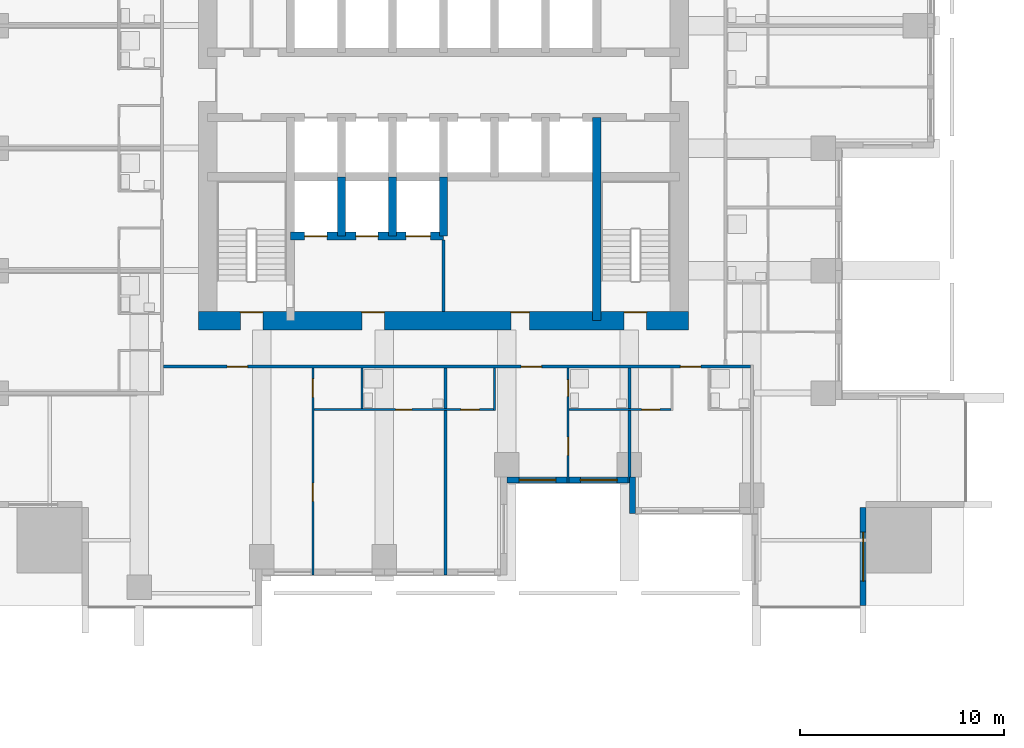
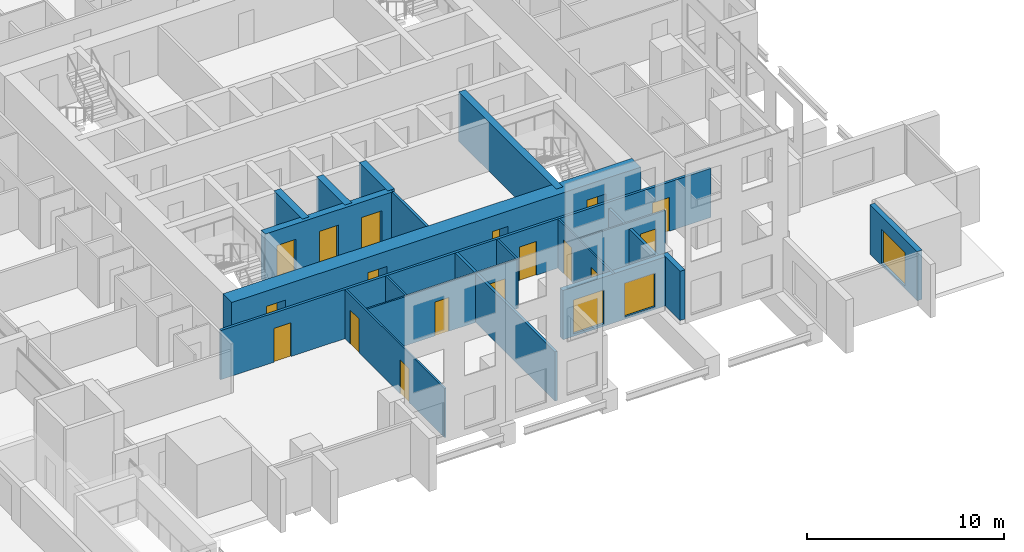
# One storey, part 5 of 15: 19 walls, 17 doors, 3 windows, 20 openings.
"""IFC4 building model written with IfcOpenShell, lengths in metres."""

from ifc_helpers import new_model, si_unit, direction, frame, frame_2d, origin, place, context, subcontext, project, spatial, rectangle, extrude, material, layer, layer_set, type_object, element, fill, save


model = new_model("IFC4")

# Units and contexts
model_context = context("Model", 3, precision=1e-05, world=origin(), true_north=direction((0.0, 1.0)))
body_context = subcontext(model_context, "Body", "Model", "MODEL_VIEW")
ifc_project = project(units=[si_unit("LENGTHUNIT", "METRE"), si_unit("AREAUNIT", "SQUARE_METRE"), si_unit("VOLUMEUNIT", "CUBIC_METRE"), si_unit("PLANEANGLEUNIT", "RADIAN"), si_unit("MASSUNIT", "GRAM", prefix="KILO")], contexts=[model_context])

# Site, building, storey
site_placement = place(None, origin())
site = spatial("IfcSite", under=ifc_project, at=site_placement, CompositionType="ELEMENT")
building_placement = place(site_placement, origin())
building = spatial("IfcBuilding", under=site, at=building_placement, Name="Amberfall Residences", CompositionType="ELEMENT")
storey_placement = place(building_placement, frame((0.0, 0.0, 23.5)))
storey = spatial("IfcBuildingStorey", under=building, at=storey_placement, Name="L05", CompositionType="ELEMENT", Elevation=23.5)

# Wall
ifc_material_1 = material(Name="Pale stone cladding on insulated backing", Category="masonry")
ifc_layer_1 = layer(ifc_material_1, 0.300048828125)
ifc_layer_set_1 = layer_set([ifc_layer_1], Name="Bronze clad wall 300")
wall_type_1 = type_object("IfcWallType", Name="Bronze clad wall 300", PredefinedType="SOLIDWALL", material=ifc_layer_set_1)
wall_1_placement = place(storey_placement, frame((83.75, 26.300048828125, 0.0), z_axis=(0.0, 0.0, 1.0), x_axis=(0.0, -1.0, 0.0)))
element("IfcWall", 1, at=wall_1_placement, inside=storey, type_object=wall_type_1, Name="External wall L05 S", PredefinedType="SOLIDWALL", context=body_context, shape_type="SweptSolid", body=[
    extrude(rectangle(XDim=1.800048828125, YDim=0.300048828125, at=frame_2d((0.89990234375, 0.0))), origin(), (0.0, 0.0, 1.0), 3.050048828125),
])

# Wall, opening, window
wall_2_placement = place(storey_placement, frame((95.050048828125, 20.0, 0.0), z_axis=(0.0, 0.0, 1.0), x_axis=(0.0, 1.0, 0.0)))
wall_2 = element("IfcWall", 2, at=wall_2_placement, inside=storey, type_object=wall_type_1, Name="External wall L05 SE", PredefinedType="SOLIDWALL", context=body_context, shape_type="SweptSolid", body=[
    extrude(rectangle(XDim=4.800048828125, YDim=0.300048828125, at=frame_2d((2.39990234375, 0.0))), origin(), (0.0, 0.0, 1.0), 3.050048828125),
])
opening_1_placement = place(wall_2_placement, frame((1.199951171875, 0.0, 0.14990234375)))
opening_1 = element("IfcOpeningElement", 3, at=opening_1_placement, cuts=wall_2, Name="Opening WN5", PredefinedType="OPENING", context=body_context, shape_type="SweptSolid", body=[
    extrude(rectangle(XDim=2.39990234375, YDim=2.10009765625, at=frame_2d((1.199951171875, 1.050048828125))), frame((0.0, 0.159912109375, 0.0), z_axis=(0.0, -1.0, 0.0), x_axis=(1.0, 0.0, 0.0)), (0.0, 0.0, 1.0), 0.320068359375),
])
ifc_material_2 = material(Name="Bronze aluminium framed glazing", Category="aluminium")
window_type_1 = type_object("IfcWindowType", Name="Glazed opening 2400 x 2100 bronze", PartitioningType="DOUBLE_PANEL_VERTICAL", PredefinedType="WINDOW", material=ifc_material_2)
window_1_placement = place(opening_1_placement, origin())
window_1 = element("IfcWindow", 4, at=window_1_placement, inside=storey, type_object=window_type_1, Name="Window L05 SE", OverallHeight=2.10009765625, OverallWidth=2.39990234375, PartitioningType="DOUBLE_PANEL_VERTICAL", PredefinedType="WINDOW", context=body_context, shape_type="SweptSolid", body=[
    extrude(rectangle(XDim=2.39990234375, YDim=2.10009765625, at=frame_2d((1.199951171875, 1.050048828125))), frame((0.0, 0.030029296875, 0.0), z_axis=(0.0, -1.0, 0.0), x_axis=(1.0, 0.0, 0.0)), (0.0, 0.0, 1.0), 0.06005859375),
])
fill(opening_1, window_1)

# Wall, openings, windows
wall_3_placement = place(storey_placement, frame((77.60009765625, 26.14990234375, 0.0), z_axis=(0.0, 0.0, 1.0), x_axis=(1.0, 0.0, 0.0)))
wall_3 = element("IfcWall", 5, at=wall_3_placement, inside=storey, type_object=wall_type_1, Name="Stone wall L05 S", PredefinedType="SOLIDWALL", context=body_context, shape_type="SweptSolid", body=[
    extrude(rectangle(XDim=6.0, YDim=0.300048828125, at=frame_2d((3.0, 0.0))), origin(), (0.0, 0.0, 1.0), 3.050048828125),
])
opening_2_placement = place(wall_3_placement, frame((0.60009765625, 0.0, 0.14990234375)))
opening_2 = element("IfcOpeningElement", 6, at=opening_2_placement, cuts=wall_3, Name="Opening WN6", PredefinedType="OPENING", context=body_context, shape_type="SweptSolid", body=[
    extrude(rectangle(XDim=1.800048828125, YDim=2.10009765625, at=frame_2d((0.89990234375, 1.050048828125))), frame((0.0, 0.159912109375, 0.0), z_axis=(0.0, -1.0, 0.0), x_axis=(1.0, 0.0, 0.0)), (0.0, 0.0, 1.0), 0.320068359375),
])
opening_3_placement = place(wall_3_placement, frame((3.60009765625, 0.0, 0.14990234375)))
opening_3 = element("IfcOpeningElement", 7, at=opening_3_placement, cuts=wall_3, Name="Opening WN6", PredefinedType="OPENING", context=body_context, shape_type="SweptSolid", body=[
    extrude(rectangle(XDim=1.800048828125, YDim=2.10009765625, at=frame_2d((0.89990234375, 1.050048828125))), frame((0.0, 0.159912109375, 0.0), z_axis=(0.0, -1.0, 0.0), x_axis=(1.0, 0.0, 0.0)), (0.0, 0.0, 1.0), 0.320068359375),
])
window_type_2 = type_object("IfcWindowType", Name="Glazed opening 1800 x 2100 bronze", PartitioningType="DOUBLE_PANEL_VERTICAL", PredefinedType="WINDOW", material=ifc_material_2)
window_2_placement = place(opening_2_placement, origin())
window_2 = element("IfcWindow", 8, at=window_2_placement, inside=storey, type_object=window_type_2, Name="Window L05 S", OverallHeight=2.10009765625, OverallWidth=1.800048828125, PartitioningType="DOUBLE_PANEL_VERTICAL", PredefinedType="WINDOW", context=body_context, shape_type="SweptSolid", body=[
    extrude(rectangle(XDim=1.800048828125, YDim=2.10009765625, at=frame_2d((0.89990234375, 1.050048828125))), frame((0.0, 0.030029296875, 0.0), z_axis=(0.0, -1.0, 0.0), x_axis=(1.0, 0.0, 0.0)), (0.0, 0.0, 1.0), 0.06005859375),
])
fill(opening_2, window_2)
window_3_placement = place(opening_3_placement, origin())
window_3 = element("IfcWindow", 9, at=window_3_placement, inside=storey, type_object=window_type_2, Name="Window L05 S", OverallHeight=2.10009765625, OverallWidth=1.800048828125, PartitioningType="DOUBLE_PANEL_VERTICAL", PredefinedType="WINDOW", context=body_context, shape_type="SweptSolid", body=[
    extrude(rectangle(XDim=1.800048828125, YDim=2.10009765625, at=frame_2d((0.89990234375, 1.050048828125))), frame((0.0, 0.030029296875, 0.0), z_axis=(0.0, -1.0, 0.0), x_axis=(1.0, 0.0, 0.0)), (0.0, 0.0, 1.0), 0.06005859375),
])
fill(opening_3, window_3)

# Wall
ifc_material_3 = material(Name="Concrete C80", Category="concrete")
ifc_layer_2 = layer(ifc_material_3, 0.39990234375)
ifc_layer_set_2 = layer_set([ifc_layer_2], Name="Core wall 400 C80")
wall_type_2 = type_object("IfcWallType", Name="Core wall 400 C80", PredefinedType="SHEAR", material=ifc_layer_set_2)
wall_4_placement = place(storey_placement, frame((82.0, 33.949951171875, 0.0), z_axis=(0.0, 0.0, 1.0), x_axis=(0.0, 1.0, 0.0)))
element("IfcWall", 10, at=wall_4_placement, inside=storey, type_object=wall_type_2, Name="Core wall RW2 L05 V195S", PredefinedType="SHEAR", context=body_context, shape_type="SweptSolid", body=[
    extrude(rectangle(XDim=9.949951171875, YDim=0.39990234375, at=frame_2d((4.97509765625, 0.0))), origin(), (0.0, 0.0, 1.0), 3.050048828125),
])

# Wall, openings, doors
wall_5_placement = place(storey_placement, frame((67.0, 38.10009765625, 0.0), z_axis=(0.0, 0.0, 1.0), x_axis=(1.0, 0.0, 0.0)))
wall_5 = element("IfcWall", 11, at=wall_5_placement, inside=storey, type_object=wall_type_2, Name="Core wall RW2 L05 FFF", PredefinedType="SHEAR", context=body_context, shape_type="SweptSolid", body=[
    extrude(rectangle(XDim=7.5, YDim=0.39990234375, at=frame_2d((3.75, 0.0))), origin(), (0.0, 0.0, 1.0), 3.050048828125),
])
opening_4_placement = place(wall_5_placement, frame((0.699951171875, 0.0, 0.0)))
opening_4 = element("IfcOpeningElement", 12, at=opening_4_placement, cuts=wall_5, Name="Opening LD2", PredefinedType="OPENING", context=body_context, shape_type="SweptSolid", body=[
    extrude(rectangle(XDim=1.10009765625, YDim=2.10009765625, at=frame_2d((0.550048828125, 1.050048828125))), frame((0.0, 0.2099609375, 0.0), z_axis=(0.0, -1.0, 0.0), x_axis=(1.0, 0.0, 0.0)), (0.0, 0.0, 1.0), 0.419921875),
])
opening_5_placement = place(wall_5_placement, frame((3.199951171875, 0.0, 0.0)))
opening_5 = element("IfcOpeningElement", 13, at=opening_5_placement, cuts=wall_5, Name="Opening LD2", PredefinedType="OPENING", context=body_context, shape_type="SweptSolid", body=[
    extrude(rectangle(XDim=1.10009765625, YDim=2.10009765625, at=frame_2d((0.550048828125, 1.050048828125))), frame((0.0, 0.2099609375, 0.0), z_axis=(0.0, -1.0, 0.0), x_axis=(1.0, 0.0, 0.0)), (0.0, 0.0, 1.0), 0.419921875),
])
opening_6_placement = place(wall_5_placement, frame((5.64990234375, 0.0, 0.0)))
opening_6 = element("IfcOpeningElement", 14, at=opening_6_placement, cuts=wall_5, Name="Opening LD3", PredefinedType="OPENING", context=body_context, shape_type="SweptSolid", body=[
    extrude(rectangle(XDim=1.199951171875, YDim=2.10009765625, at=frame_2d((0.60009765625, 1.050048828125))), frame((0.0, 0.2099609375, 0.0), z_axis=(0.0, -1.0, 0.0), x_axis=(1.0, 0.0, 0.0)), (0.0, 0.0, 1.0), 0.419921875),
])
ifc_material_4 = material(Name="Steel fire door set", Category="steel")
door_type_1 = type_object("IfcDoorType", Name="Firefighting lift landing door 1100 x 2100", OperationType="DOUBLE_DOOR_SLIDING", PredefinedType="DOOR", material=ifc_material_4)
door_1_placement = place(opening_4_placement, origin())
door_1 = element("IfcDoor", 15, at=door_1_placement, inside=storey, type_object=door_type_1, Name="Landing door FF1 L05", OperationType="DOUBLE_DOOR_SLIDING", OverallHeight=2.10009765625, OverallWidth=1.10009765625, PredefinedType="DOOR", context=body_context, shape_type="SweptSolid", body=[
    extrude(rectangle(XDim=1.10009765625, YDim=2.10009765625, at=frame_2d((0.550048828125, 1.050048828125))), frame((0.0, 0.02490234375, 0.0), z_axis=(0.0, -1.0, 0.0), x_axis=(1.0, 0.0, 0.0)), (0.0, 0.0, 1.0), 0.050048828125),
])
fill(opening_4, door_1)
door_2_placement = place(opening_5_placement, origin())
door_2 = element("IfcDoor", 16, at=door_2_placement, inside=storey, type_object=door_type_1, Name="Landing door FF2 L05", OperationType="DOUBLE_DOOR_SLIDING", OverallHeight=2.10009765625, OverallWidth=1.10009765625, PredefinedType="DOOR", context=body_context, shape_type="SweptSolid", body=[
    extrude(rectangle(XDim=1.10009765625, YDim=2.10009765625, at=frame_2d((0.550048828125, 1.050048828125))), frame((0.0, 0.02490234375, 0.0), z_axis=(0.0, -1.0, 0.0), x_axis=(1.0, 0.0, 0.0)), (0.0, 0.0, 1.0), 0.050048828125),
])
fill(opening_5, door_2)
door_type_2 = type_object("IfcDoorType", Name="Service lift landing door 1200 x 2100", OperationType="DOUBLE_DOOR_SLIDING", PredefinedType="DOOR", material=ifc_material_4)
door_3_placement = place(opening_6_placement, origin())
door_3 = element("IfcDoor", 17, at=door_3_placement, inside=storey, type_object=door_type_2, Name="Landing door SL1 L05", OperationType="DOUBLE_DOOR_SLIDING", OverallHeight=2.10009765625, OverallWidth=1.199951171875, PredefinedType="DOOR", context=body_context, shape_type="SweptSolid", body=[
    extrude(rectangle(XDim=1.199951171875, YDim=2.10009765625, at=frame_2d((0.60009765625, 1.050048828125))), frame((0.0, 0.02490234375, 0.0), z_axis=(0.0, -1.0, 0.0), x_axis=(1.0, 0.0, 0.0)), (0.0, 0.0, 1.0), 0.050048828125),
])
fill(opening_6, door_3)

# Walls
for number, where, z_axis, x_axis, name in (
    (18, (69.5, 38.10009765625, 0.0), (0.0, 0.0, 1.0), (0.0, 1.0, 0.0), "Core wall RW2 L05 FFD1"),
    (19, (72.0, 38.10009765625, 0.0), (0.0, 0.0, 1.0), (0.0, 1.0, 0.0), "Core wall RW2 L05 FFD2"),
    (20, (74.5, 38.10009765625, 0.0), (0.0, 0.0, 1.0), (0.0, 1.0, 0.0), "Core wall RW2 L05 FFD3"),
):
    element("IfcWall", number, at=place(storey_placement, frame(where, z_axis=z_axis, x_axis=x_axis)), inside=storey, type_object=wall_type_2, Name=name, PredefinedType="SHEAR", context=body_context, shape_type="SweptSolid", body=[
        extrude(rectangle(XDim=2.89990234375, YDim=0.39990234375, at=frame_2d((1.449951171875, 0.0))), origin(), (0.0, 0.0, 1.0), 3.050048828125),
    ])

# Wall, openings, doors
ifc_layer_3 = layer(ifc_material_3, 0.89990234375)
ifc_layer_set_3 = layer_set([ifc_layer_3], Name="Core wall 900 C80")
wall_type_3 = type_object("IfcWallType", Name="Core wall 900 C80", PredefinedType="SHEAR", material=ifc_layer_set_3)
wall_6_placement = place(storey_placement, frame((62.5, 33.949951171875, 0.0), z_axis=(0.0, 0.0, 1.0), x_axis=(1.0, 0.0, 0.0)))
wall_6 = element("IfcWall", 21, at=wall_6_placement, inside=storey, type_object=wall_type_3, Name="Core wall RW1 L05 OS", PredefinedType="SHEAR", context=body_context, shape_type="SweptSolid", body=[
    extrude(rectangle(XDim=24.0, YDim=0.89990234375, at=frame_2d((12.0, 0.0))), origin(), (0.0, 0.0, 1.0), 3.050048828125),
])
opening_7_placement = place(wall_6_placement, frame((2.050048828125, 0.0, 0.0)))
opening_7 = element("IfcOpeningElement", 22, at=opening_7_placement, cuts=wall_6, Name="Opening SD1", PredefinedType="OPENING", context=body_context, shape_type="SweptSolid", body=[
    extrude(rectangle(XDim=1.10009765625, YDim=2.10009765625, at=frame_2d((0.550048828125, 1.050048828125))), frame((0.0, 0.4599609375, 0.0), z_axis=(0.0, -1.0, 0.0), x_axis=(1.0, 0.0, 0.0)), (0.0, 0.0, 1.0), 0.919921875),
])
opening_8_placement = place(wall_6_placement, frame((20.85009765625, 0.0, 0.0)))
opening_8 = element("IfcOpeningElement", 23, at=opening_8_placement, cuts=wall_6, Name="Opening SD1", PredefinedType="OPENING", context=body_context, shape_type="SweptSolid", body=[
    extrude(rectangle(XDim=1.10009765625, YDim=2.10009765625, at=frame_2d((0.550048828125, 1.050048828125))), frame((0.0, 0.4599609375, 0.0), z_axis=(0.0, -1.0, 0.0), x_axis=(1.0, 0.0, 0.0)), (0.0, 0.0, 1.0), 0.919921875),
])
opening_9_placement = place(wall_6_placement, frame((8.0, 0.0, 0.0)))
opening_9 = element("IfcOpeningElement", 24, at=opening_9_placement, cuts=wall_6, Name="Opening FL1", PredefinedType="OPENING", context=body_context, shape_type="SweptSolid", body=[
    extrude(rectangle(XDim=1.10009765625, YDim=2.10009765625, at=frame_2d((0.550048828125, 1.050048828125))), frame((0.0, 0.4599609375, 0.0), z_axis=(0.0, -1.0, 0.0), x_axis=(1.0, 0.0, 0.0)), (0.0, 0.0, 1.0), 0.919921875),
])
opening_10_placement = place(wall_6_placement, frame((15.300048828125, 0.0, 0.0)))
opening_10 = element("IfcOpeningElement", 25, at=opening_10_placement, cuts=wall_6, Name="Opening RD1", PredefinedType="OPENING", context=body_context, shape_type="SweptSolid", body=[
    extrude(rectangle(XDim=0.89990234375, YDim=2.10009765625, at=frame_2d((0.449951171875, 1.050048828125))), frame((0.0, 0.4599609375, 0.0), z_axis=(0.0, -1.0, 0.0), x_axis=(1.0, 0.0, 0.0)), (0.0, 0.0, 1.0), 0.919921875),
])
door_type_3 = type_object("IfcDoorType", Name="Firefighting lobby door 1100 x 2100", OperationType="SINGLE_SWING_LEFT", PredefinedType="DOOR", material=ifc_material_4)
door_4_placement = place(opening_9_placement, origin())
door_4 = element("IfcDoor", 26, at=door_4_placement, inside=storey, type_object=door_type_3, Name="FL1 L05", OperationType="SINGLE_SWING_LEFT", OverallHeight=2.10009765625, OverallWidth=1.10009765625, PredefinedType="DOOR", context=body_context, shape_type="SweptSolid", body=[
    extrude(rectangle(XDim=1.10009765625, YDim=2.10009765625, at=frame_2d((0.550048828125, 1.050048828125))), frame((0.0, 0.4375, 0.0), z_axis=(0.0, -1.0, 0.0), x_axis=(1.0, 0.0, 0.0)), (0.0, 0.0, 1.0), 0.050048828125),
])
fill(opening_9, door_4)
door_type_4 = type_object("IfcDoorType", Name="Service room door 900 x 2100", OperationType="SINGLE_SWING_LEFT", PredefinedType="DOOR", material=ifc_material_4)
door_5_placement = place(opening_10_placement, origin())
door_5 = element("IfcDoor", 27, at=door_5_placement, inside=storey, type_object=door_type_4, Name="RD1 L05", OperationType="SINGLE_SWING_LEFT", OverallHeight=2.10009765625, OverallWidth=0.89990234375, PredefinedType="DOOR", context=body_context, shape_type="SweptSolid", body=[
    extrude(rectangle(XDim=0.89990234375, YDim=2.10009765625, at=frame_2d((0.449951171875, 1.050048828125))), frame((0.0, 0.4375, 0.0), z_axis=(0.0, -1.0, 0.0), x_axis=(1.0, 0.0, 0.0)), (0.0, 0.0, 1.0), 0.050048828125),
])
fill(opening_10, door_5)
door_type_5 = type_object("IfcDoorType", Name="Stair door 1100 x 2100", OperationType="SINGLE_SWING_LEFT", PredefinedType="DOOR", material=ifc_material_4)
door_6_placement = place(opening_7_placement, origin())
door_6 = element("IfcDoor", 28, at=door_6_placement, inside=storey, type_object=door_type_5, Name="SD1 L05", OperationType="SINGLE_SWING_LEFT", OverallHeight=2.10009765625, OverallWidth=1.10009765625, PredefinedType="DOOR", context=body_context, shape_type="SweptSolid", body=[
    extrude(rectangle(XDim=1.10009765625, YDim=2.10009765625, at=frame_2d((0.550048828125, 1.050048828125))), frame((0.0, 0.4375, 0.0), z_axis=(0.0, -1.0, 0.0), x_axis=(1.0, 0.0, 0.0)), (0.0, 0.0, 1.0), 0.050048828125),
])
fill(opening_7, door_6)
door_7_placement = place(opening_8_placement, origin())
door_7 = element("IfcDoor", 29, at=door_7_placement, inside=storey, type_object=door_type_5, Name="SD1 L05", OperationType="SINGLE_SWING_RIGHT", OverallHeight=2.10009765625, OverallWidth=1.10009765625, PredefinedType="DOOR", context=body_context, shape_type="SweptSolid", body=[
    extrude(rectangle(XDim=1.10009765625, YDim=2.10009765625, at=frame_2d((0.550048828125, 1.050048828125))), frame((0.0, 0.4375, 0.0), z_axis=(0.0, -1.0, 0.0), x_axis=(1.0, 0.0, 0.0)), (0.0, 0.0, 1.0), 0.050048828125),
])
fill(opening_8, door_7)

ifc_material_5 = material(Name="Gypsum board on metal stud")
ifc_layer_4 = layer(ifc_material_5, 0.10009765625)
ifc_layer_set_4 = layer_set([ifc_layer_4], Name="Flat partition 100")
wall_type_4 = type_object("IfcWallType", Name="Flat partition 100", PredefinedType="PARTITIONING", material=ifc_layer_set_4)
wall_7_placement = place(storey_placement, frame((68.10009765625, 31.625, 0.0), z_axis=(0.0, 0.0, 1.0), x_axis=(0.0, -1.0, 0.0)))
wall_7 = element("IfcWall", 30, at=wall_7_placement, inside=storey, type_object=wall_type_4, Name="Partition 008", PredefinedType="PARTITIONING", context=body_context, shape_type="SweptSolid", body=[
    extrude(rectangle(XDim=10.125, YDim=0.10009765625, at=frame_2d((5.0625, 0.0))), origin(), (0.0, 0.0, 1.0), 3.050048828125),
])
opening_11_placement = place(wall_7_placement, frame((0.52490234375, 0.0, 0.0)))
opening_11 = element("IfcOpeningElement", 31, at=opening_11_placement, cuts=wall_7, Name="Opening D41", PredefinedType="OPENING", context=body_context, shape_type="SweptSolid", body=[
    extrude(rectangle(XDim=0.89990234375, YDim=2.10009765625, at=frame_2d((0.449951171875, 1.050048828125))), frame((0.0, 0.06005859375, 0.0), z_axis=(0.0, -1.0, 0.0), x_axis=(1.0, 0.0, 0.0)), (0.0, 0.0, 1.0), 0.1201171875),
])
opening_12_placement = place(wall_7_placement, frame((5.625, 0.0, 0.0)))
opening_12 = element("IfcOpeningElement", 32, at=opening_12_placement, cuts=wall_7, Name="Opening D41", PredefinedType="OPENING", context=body_context, shape_type="SweptSolid", body=[
    extrude(rectangle(XDim=0.89990234375, YDim=2.10009765625, at=frame_2d((0.449951171875, 1.050048828125))), frame((0.0, 0.06005859375, 0.0), z_axis=(0.0, -1.0, 0.0), x_axis=(1.0, 0.0, 0.0)), (0.0, 0.0, 1.0), 0.1201171875),
])
ifc_material_6 = material(Name="Timber", Category="wood")
door_type_6 = type_object("IfcDoorType", Name="Internal door 900 x 2100", OperationType="SINGLE_SWING_LEFT", PredefinedType="DOOR", material=ifc_material_6)
door_8_placement = place(opening_11_placement, origin())
door_8 = element("IfcDoor", 33, at=door_8_placement, inside=storey, type_object=door_type_6, Name="Door 0501 kitchen", OperationType="SINGLE_SWING_LEFT", OverallHeight=2.10009765625, OverallWidth=0.89990234375, PredefinedType="DOOR", context=body_context, shape_type="SweptSolid", body=[
    extrude(rectangle(XDim=0.89990234375, YDim=2.10009765625, at=frame_2d((0.449951171875, 1.050048828125))), frame((0.0, 0.02490234375, 0.0), z_axis=(0.0, -1.0, 0.0), x_axis=(1.0, 0.0, 0.0)), (0.0, 0.0, 1.0), 0.050048828125),
])
fill(opening_11, door_8)
door_9_placement = place(opening_12_placement, origin())
door_9 = element("IfcDoor", 34, at=door_9_placement, inside=storey, type_object=door_type_6, Name="Door 0501 bedroom1", OperationType="SINGLE_SWING_LEFT", OverallHeight=2.10009765625, OverallWidth=0.89990234375, PredefinedType="DOOR", context=body_context, shape_type="SweptSolid", body=[
    extrude(rectangle(XDim=0.89990234375, YDim=2.10009765625, at=frame_2d((0.449951171875, 1.050048828125))), frame((0.0, 0.02490234375, 0.0), z_axis=(0.0, -1.0, 0.0), x_axis=(1.0, 0.0, 0.0)), (0.0, 0.0, 1.0), 0.050048828125),
])
fill(opening_12, door_9)

# Walls
wall_8_placement = place(storey_placement, frame((70.5, 29.64990234375, 0.0), z_axis=(0.0, 0.0, 1.0), x_axis=(0.0, 1.0, 0.0)))
element("IfcWall", 35, at=wall_8_placement, inside=storey, type_object=wall_type_4, Name="Partition 010", PredefinedType="PARTITIONING", context=body_context, shape_type="SweptSolid", body=[
    extrude(rectangle(XDim=1.97509765625, YDim=0.10009765625, at=frame_2d((0.987548828125, 0.0))), origin(), (0.0, 0.0, 1.0), 3.050048828125),
])
wall_9_placement = place(storey_placement, frame((77.0, 29.550048828125, 0.0), z_axis=(0.0, 0.0, 1.0), x_axis=(0.0, 1.0, 0.0)))
element("IfcWall", 36, at=wall_9_placement, inside=storey, type_object=wall_type_4, Name="Partition 013", PredefinedType="PARTITIONING", context=body_context, shape_type="SweptSolid", body=[
    extrude(rectangle(XDim=2.074951171875, YDim=0.10009765625, at=frame_2d((1.03759765625, 0.0))), origin(), (0.0, 0.0, 1.0), 3.050048828125),
])

# Wall, openings, doors
wall_10_placement = place(storey_placement, frame((80.60009765625, 31.625, 0.0), z_axis=(0.0, 0.0, 1.0), x_axis=(0.0, -1.0, 0.0)))
wall_10 = element("IfcWall", 37, at=wall_10_placement, inside=storey, type_object=wall_type_4, Name="Partition 014", PredefinedType="PARTITIONING", context=body_context, shape_type="SweptSolid", body=[
    extrude(rectangle(XDim=5.625, YDim=0.10009765625, at=frame_2d((2.8125, 0.0))), origin(), (0.0, 0.0, 1.0), 3.050048828125),
])
opening_13_placement = place(wall_10_placement, frame((3.375, 0.0, 0.0)))
opening_13 = element("IfcOpeningElement", 38, at=opening_13_placement, cuts=wall_10, Name="Opening D41", PredefinedType="OPENING", context=body_context, shape_type="SweptSolid", body=[
    extrude(rectangle(XDim=0.89990234375, YDim=2.10009765625, at=frame_2d((0.449951171875, 1.050048828125))), frame((0.0, 0.06005859375, 0.0), z_axis=(0.0, -1.0, 0.0), x_axis=(1.0, 0.0, 0.0)), (0.0, 0.0, 1.0), 0.1201171875),
])
opening_14_placement = place(wall_10_placement, frame((0.574951171875, 0.0, 0.0)))
opening_14 = element("IfcOpeningElement", 39, at=opening_14_placement, cuts=wall_10, Name="Opening D42", PredefinedType="OPENING", context=body_context, shape_type="SweptSolid", body=[
    extrude(rectangle(XDim=0.800048828125, YDim=2.10009765625, at=frame_2d((0.39990234375, 1.050048828125))), frame((0.0, 0.06005859375, 0.0), z_axis=(0.0, -1.0, 0.0), x_axis=(1.0, 0.0, 0.0)), (0.0, 0.0, 1.0), 0.1201171875),
])
door_type_7 = type_object("IfcDoorType", Name="Bathroom door 800 x 2100", OperationType="SINGLE_SWING_LEFT", PredefinedType="DOOR", material=ifc_material_6)
door_10_placement = place(opening_14_placement, origin())
door_10 = element("IfcDoor", 40, at=door_10_placement, inside=storey, type_object=door_type_7, Name="Door 0502 bath1", OperationType="SINGLE_SWING_LEFT", OverallHeight=2.10009765625, OverallWidth=0.800048828125, PredefinedType="DOOR", context=body_context, shape_type="SweptSolid", body=[
    extrude(rectangle(XDim=0.800048828125, YDim=2.10009765625, at=frame_2d((0.39990234375, 1.050048828125))), frame((0.0, 0.02490234375, 0.0), z_axis=(0.0, -1.0, 0.0), x_axis=(1.0, 0.0, 0.0)), (0.0, 0.0, 1.0), 0.050048828125),
])
fill(opening_14, door_10)
door_11_placement = place(opening_13_placement, origin())
door_11 = element("IfcDoor", 41, at=door_11_placement, inside=storey, type_object=door_type_6, Name="Door 0502 bedroom1", OperationType="SINGLE_SWING_LEFT", OverallHeight=2.10009765625, OverallWidth=0.89990234375, PredefinedType="DOOR", context=body_context, shape_type="SweptSolid", body=[
    extrude(rectangle(XDim=0.89990234375, YDim=2.10009765625, at=frame_2d((0.449951171875, 1.050048828125))), frame((0.0, 0.02490234375, 0.0), z_axis=(0.0, -1.0, 0.0), x_axis=(1.0, 0.0, 0.0)), (0.0, 0.0, 1.0), 0.050048828125),
])
fill(opening_13, door_11)

wall_11_placement = place(storey_placement, frame((68.14990234375, 29.60009765625, 0.0), z_axis=(0.0, 0.0, 1.0), x_axis=(1.0, 0.0, 0.0)))
wall_11 = element("IfcWall", 42, at=wall_11_placement, inside=storey, type_object=wall_type_4, Name="Partition 041", PredefinedType="PARTITIONING", context=body_context, shape_type="SweptSolid", body=[
    extrude(rectangle(XDim=8.800048828125, YDim=0.10009765625, at=frame_2d((4.39990234375, 0.0))), origin(), (0.0, 0.0, 1.0), 3.050048828125),
])
opening_15_placement = place(wall_11_placement, frame((4.0, 0.0, 0.0)))
opening_15 = element("IfcOpeningElement", 43, at=opening_15_placement, cuts=wall_11, Name="Opening D42", PredefinedType="OPENING", context=body_context, shape_type="SweptSolid", body=[
    extrude(rectangle(XDim=0.800048828125, YDim=2.10009765625, at=frame_2d((0.39990234375, 1.050048828125))), frame((0.0, 0.06005859375, 0.0), z_axis=(0.0, -1.0, 0.0), x_axis=(1.0, 0.0, 0.0)), (0.0, 0.0, 1.0), 0.1201171875),
])
opening_16_placement = place(wall_11_placement, frame((7.199951171875, 0.0, 0.0)))
opening_16 = element("IfcOpeningElement", 44, at=opening_16_placement, cuts=wall_11, Name="Opening D41", PredefinedType="OPENING", context=body_context, shape_type="SweptSolid", body=[
    extrude(rectangle(XDim=0.89990234375, YDim=2.10009765625, at=frame_2d((0.449951171875, 1.050048828125))), frame((0.0, 0.06005859375, 0.0), z_axis=(0.0, -1.0, 0.0), x_axis=(1.0, 0.0, 0.0)), (0.0, 0.0, 1.0), 0.1201171875),
])
door_12_placement = place(opening_15_placement, origin())
door_12 = element("IfcDoor", 45, at=door_12_placement, inside=storey, type_object=door_type_7, Name="Door 0501 bath1", OperationType="SINGLE_SWING_LEFT", OverallHeight=2.10009765625, OverallWidth=0.800048828125, PredefinedType="DOOR", context=body_context, shape_type="SweptSolid", body=[
    extrude(rectangle(XDim=0.800048828125, YDim=2.10009765625, at=frame_2d((0.39990234375, 1.050048828125))), frame((0.0, 0.02490234375, 0.0), z_axis=(0.0, -1.0, 0.0), x_axis=(1.0, 0.0, 0.0)), (0.0, 0.0, 1.0), 0.050048828125),
])
fill(opening_15, door_12)
door_13_placement = place(opening_16_placement, origin())
door_13 = element("IfcDoor", 46, at=door_13_placement, inside=storey, type_object=door_type_6, Name="Door 0502 kitchen", OperationType="SINGLE_SWING_LEFT", OverallHeight=2.10009765625, OverallWidth=0.89990234375, PredefinedType="DOOR", context=body_context, shape_type="SweptSolid", body=[
    extrude(rectangle(XDim=0.89990234375, YDim=2.10009765625, at=frame_2d((0.449951171875, 1.050048828125))), frame((0.0, 0.02490234375, 0.0), z_axis=(0.0, -1.0, 0.0), x_axis=(1.0, 0.0, 0.0)), (0.0, 0.0, 1.0), 0.050048828125),
])
fill(opening_16, door_13)

# Wall, opening, door
wall_12_placement = place(storey_placement, frame((80.64990234375, 29.60009765625, 0.0), z_axis=(0.0, 0.0, 1.0), x_axis=(1.0, 0.0, 0.0)))
wall_12 = element("IfcWall", 47, at=wall_12_placement, inside=storey, type_object=wall_type_4, Name="Partition 042", PredefinedType="PARTITIONING", context=body_context, shape_type="SweptSolid", body=[
    extrude(rectangle(XDim=5.0, YDim=0.10009765625, at=frame_2d((2.5, 0.0))), origin(), (0.0, 0.0, 1.0), 3.050048828125),
])
opening_17_placement = place(wall_12_placement, frame((3.550048828125, 0.0, 0.0)))
opening_17 = element("IfcOpeningElement", 48, at=opening_17_placement, cuts=wall_12, Name="Opening D41", PredefinedType="OPENING", context=body_context, shape_type="SweptSolid", body=[
    extrude(rectangle(XDim=0.89990234375, YDim=2.10009765625, at=frame_2d((0.449951171875, 1.050048828125))), frame((0.0, 0.06005859375, 0.0), z_axis=(0.0, -1.0, 0.0), x_axis=(1.0, 0.0, 0.0)), (0.0, 0.0, 1.0), 0.1201171875),
])
door_14_placement = place(opening_17_placement, origin())
door_14 = element("IfcDoor", 49, at=door_14_placement, inside=storey, type_object=door_type_6, Name="Door 0503 kitchen", OperationType="SINGLE_SWING_LEFT", OverallHeight=2.10009765625, OverallWidth=0.89990234375, PredefinedType="DOOR", context=body_context, shape_type="SweptSolid", body=[
    extrude(rectangle(XDim=0.89990234375, YDim=2.10009765625, at=frame_2d((0.449951171875, 1.050048828125))), frame((0.0, 0.02490234375, 0.0), z_axis=(0.0, -1.0, 0.0), x_axis=(1.0, 0.0, 0.0)), (0.0, 0.0, 1.0), 0.050048828125),
])
fill(opening_17, door_14)

# Walls
ifc_material_7 = material(Name="Blockwork, plastered", Category="masonry")
ifc_layer_5 = layer(ifc_material_7, 0.14990234375)
ifc_layer_set_5 = layer_set([ifc_layer_5], Name="Flat separating wall 150")
wall_type_5 = type_object("IfcWallType", Name="Flat separating wall 150", PredefinedType="PARTITIONING", material=ifc_layer_set_5)
wall_13_placement = place(storey_placement, frame((74.60009765625, 21.5, 0.0), z_axis=(0.0, 0.0, 1.0), x_axis=(0.0, 1.0, 0.0)))
element("IfcWall", 50, at=wall_13_placement, inside=storey, type_object=wall_type_5, Name="Separating wall 048", PredefinedType="PARTITIONING", context=body_context, shape_type="SweptSolid", body=[
    extrude(rectangle(XDim=10.125, YDim=0.14990234375, at=frame_2d((5.0625, 0.0))), origin(), (0.0, 0.0, 1.0), 3.050048828125),
])
wall_14_placement = place(storey_placement, frame((83.60009765625, 26.0, 0.0), z_axis=(0.0, 0.0, 1.0), x_axis=(0.0, 1.0, 0.0)))
element("IfcWall", 51, at=wall_14_placement, inside=storey, type_object=wall_type_5, Name="Separating wall 050", PredefinedType="PARTITIONING", context=body_context, shape_type="SweptSolid", body=[
    extrude(rectangle(XDim=5.625, YDim=0.14990234375, at=frame_2d((2.8125, 0.0))), origin(), (0.0, 0.0, 1.0), 2.64697265625),
])

# Wall, openings, doors
wall_15_placement = place(storey_placement, frame((89.52490234375, 31.699951171875, 0.0), z_axis=(0.0, 0.0, 1.0), x_axis=(-1.0, 0.0, 0.0)))
wall_15 = element("IfcWall", 52, at=wall_15_placement, inside=storey, type_object=wall_type_5, Name="Separating wall 060", PredefinedType="PARTITIONING", context=body_context, shape_type="SweptSolid", body=[
    extrude(rectangle(XDim=28.75, YDim=0.14990234375, at=frame_2d((14.375, 0.0))), origin(), (0.0, 0.0, 1.0), 3.050048828125),
])
opening_18_placement = place(wall_15_placement, frame((24.625, 0.0, 0.0)))
opening_18 = element("IfcOpeningElement", 53, at=opening_18_placement, cuts=wall_15, Name="Opening D40", PredefinedType="OPENING", context=body_context, shape_type="SweptSolid", body=[
    extrude(rectangle(XDim=1.0, YDim=2.10009765625, at=frame_2d((0.5, 1.050048828125))), frame((0.0, 0.0849609375, 0.0), z_axis=(0.0, -1.0, 0.0), x_axis=(1.0, 0.0, 0.0)), (0.0, 0.0, 1.0), 0.169921875),
])
opening_19_placement = place(wall_15_placement, frame((10.22509765625, 0.0, 0.0)))
opening_19 = element("IfcOpeningElement", 54, at=opening_19_placement, cuts=wall_15, Name="Opening D40", PredefinedType="OPENING", context=body_context, shape_type="SweptSolid", body=[
    extrude(rectangle(XDim=1.0, YDim=2.10009765625, at=frame_2d((0.5, 1.050048828125))), frame((0.0, 0.0849609375, 0.0), z_axis=(0.0, -1.0, 0.0), x_axis=(1.0, 0.0, 0.0)), (0.0, 0.0, 1.0), 0.169921875),
])
opening_20_placement = place(wall_15_placement, frame((2.425048828125, 0.0, 0.0)))
opening_20 = element("IfcOpeningElement", 55, at=opening_20_placement, cuts=wall_15, Name="Opening D40", PredefinedType="OPENING", context=body_context, shape_type="SweptSolid", body=[
    extrude(rectangle(XDim=1.0, YDim=2.10009765625, at=frame_2d((0.5, 1.050048828125))), frame((0.0, 0.0849609375, 0.0), z_axis=(0.0, -1.0, 0.0), x_axis=(1.0, 0.0, 0.0)), (0.0, 0.0, 1.0), 0.169921875),
])
ifc_material_8 = material(Name="Timber, fire-rated", Category="wood")
door_type_8 = type_object("IfcDoorType", Name="Flat entrance door FD60 1000 x 2100", OperationType="SINGLE_SWING_LEFT", PredefinedType="DOOR", material=ifc_material_8)
door_15_placement = place(opening_18_placement, origin())
door_15 = element("IfcDoor", 56, at=door_15_placement, inside=storey, type_object=door_type_8, Name="Door 0501 entrance", OperationType="SINGLE_SWING_LEFT", OverallHeight=2.10009765625, OverallWidth=1.0, PredefinedType="DOOR", context=body_context, shape_type="SweptSolid", body=[
    extrude(rectangle(XDim=1.0, YDim=2.10009765625, at=frame_2d((0.5, 1.050048828125))), frame((0.0, 0.02490234375, 0.0), z_axis=(0.0, -1.0, 0.0), x_axis=(1.0, 0.0, 0.0)), (0.0, 0.0, 1.0), 0.050048828125),
])
fill(opening_18, door_15)
door_16_placement = place(opening_19_placement, origin())
door_16 = element("IfcDoor", 57, at=door_16_placement, inside=storey, type_object=door_type_8, Name="Door 0502 entrance", OperationType="SINGLE_SWING_LEFT", OverallHeight=2.10009765625, OverallWidth=1.0, PredefinedType="DOOR", context=body_context, shape_type="SweptSolid", body=[
    extrude(rectangle(XDim=1.0, YDim=2.10009765625, at=frame_2d((0.5, 1.050048828125))), frame((0.0, 0.02490234375, 0.0), z_axis=(0.0, -1.0, 0.0), x_axis=(1.0, 0.0, 0.0)), (0.0, 0.0, 1.0), 0.050048828125),
])
fill(opening_19, door_16)
door_17_placement = place(opening_20_placement, origin())
door_17 = element("IfcDoor", 58, at=door_17_placement, inside=storey, type_object=door_type_8, Name="Door 0503 entrance", OperationType="SINGLE_SWING_LEFT", OverallHeight=2.10009765625, OverallWidth=1.0, PredefinedType="DOOR", context=body_context, shape_type="SweptSolid", body=[
    extrude(rectangle(XDim=1.0, YDim=2.10009765625, at=frame_2d((0.5, 1.050048828125))), frame((0.0, 0.02490234375, 0.0), z_axis=(0.0, -1.0, 0.0), x_axis=(1.0, 0.0, 0.0)), (0.0, 0.0, 1.0), 0.050048828125),
])
fill(opening_20, door_17)

# Wall
ifc_material_9 = material(Name="Concrete blockwork", Category="masonry")
ifc_layer_6 = layer(ifc_material_9, 0.14990234375)
ifc_layer_set_6 = layer_set([ifc_layer_6], Name="Riser wall 150")
wall_type_6 = type_object("IfcWallType", Name="Riser wall 150", PredefinedType="PLUMBINGWALL", material=ifc_layer_set_6)
wall_16_placement = place(storey_placement, frame((74.5, 34.39990234375, 0.0), z_axis=(0.0, 0.0, 1.0), x_axis=(0.0, 1.0, 0.0)))
element("IfcWall", 59, at=wall_16_placement, inside=storey, type_object=wall_type_6, Name="L05 core wall PX", PredefinedType="PLUMBINGWALL", context=body_context, shape_type="SweptSolid", body=[
    extrude(rectangle(XDim=3.5, YDim=0.14990234375, at=frame_2d((1.75, 0.0))), origin(), (0.0, 0.0, 1.0), 3.050048828125),
])

save(model, "model.ifc")
